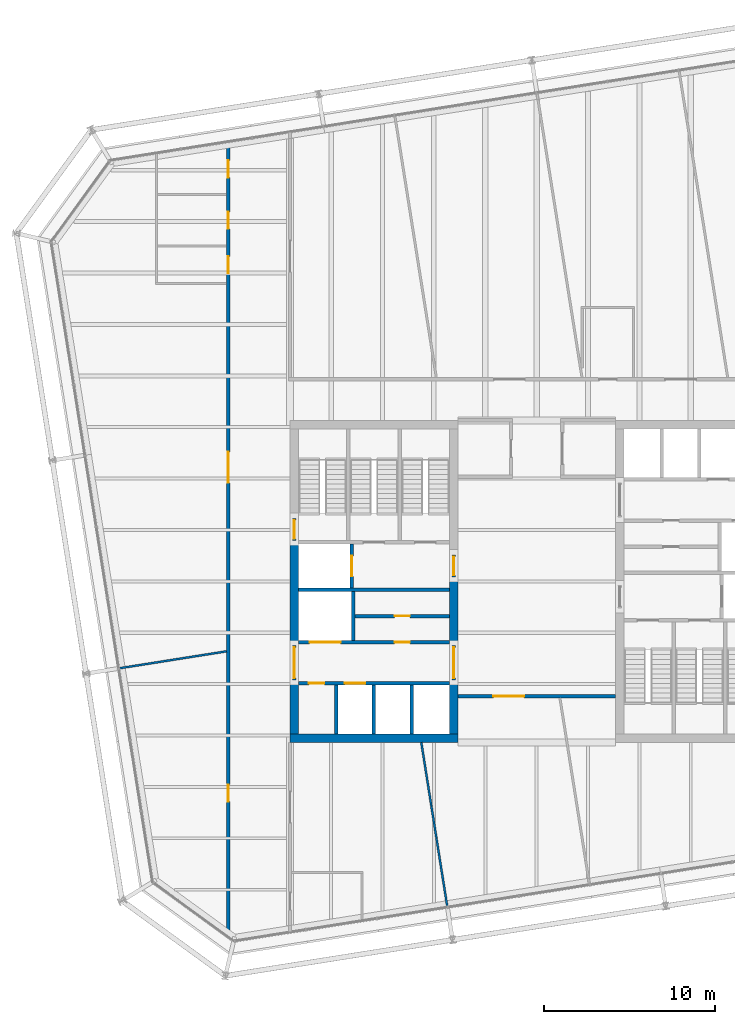
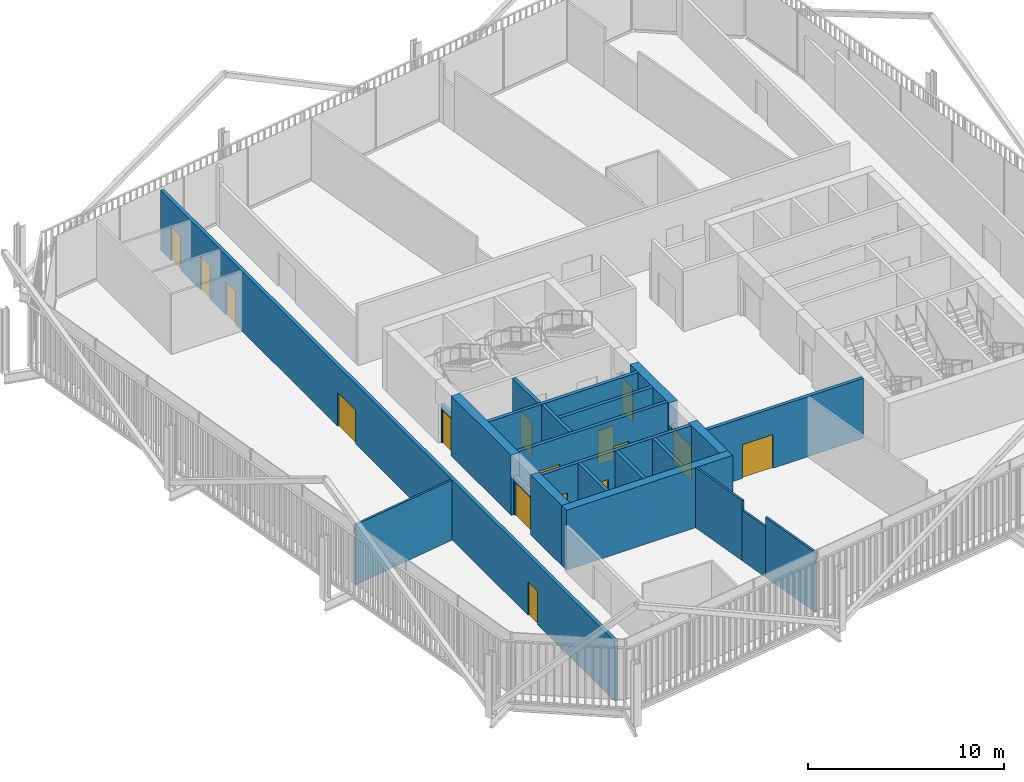
# One storey, part 17 of 21: 24 walls, 16 doors, 16 openings.
"""IFC4 building model written with IfcOpenShell, lengths in metres."""

from ifc_helpers import new_model, si_unit, direction, frame, frame_2d, origin, place, context, subcontext, project, spatial, rectangle, extrude, material, layer, layer_set, type_object, element, fill, save


model = new_model("IFC4")

# Units and contexts
model_context = context("Model", 3, precision=1e-05, world=origin(), true_north=direction((0.0, 1.0)))
body_context = subcontext(model_context, "Body", "Model", "MODEL_VIEW")
ifc_project = project(units=[si_unit("LENGTHUNIT", "METRE"), si_unit("AREAUNIT", "SQUARE_METRE"), si_unit("VOLUMEUNIT", "CUBIC_METRE"), si_unit("PLANEANGLEUNIT", "RADIAN"), si_unit("MASSUNIT", "GRAM", prefix="KILO")], contexts=[model_context])

# Site, building, storey
site_placement = place(None, origin())
site = spatial("IfcSite", under=ifc_project, at=site_placement, CompositionType="ELEMENT")
building_placement = place(site_placement, origin())
building = spatial("IfcBuilding", under=site, at=building_placement, Name="Millrace Tower", CompositionType="ELEMENT")
storey_placement = place(building_placement, frame((0.0, 0.0, 255.199951171875)))
storey = spatial("IfcBuildingStorey", under=building, at=storey_placement, Name="L58", CompositionType="ELEMENT", Elevation=255.199951171875)

# Walls
ifc_material_1 = material(Name="Concrete C60", Category="concrete")
ifc_layer_1 = layer(ifc_material_1, 0.5)
ifc_layer_set_1 = layer_set([ifc_layer_1], Name="Concrete C60")
wall_type_1 = type_object("IfcWallType", Name="Core wall 500 Concrete C60", PredefinedType="SHEAR", material=ifc_layer_set_1)
wall_1_placement = place(storey_placement, frame((-14.39990234375, -9.14990234375, 0.0), z_axis=(0.0, 0.0, 1.0), x_axis=(1.0, 0.0, 0.0)))
element("IfcWall", 1, at=wall_1_placement, inside=storey, type_object=wall_type_1, Name="Core wall W L58", PredefinedType="SHEAR", context=body_context, shape_type="SweptSolid", body=[
    extrude(rectangle(XDim=9.7998046875, YDim=0.5, at=frame_2d((4.89990234375, 0.0))), origin(), (0.0, 0.0, 1.0), 3.739990234375),
])
wall_2_placement = place(storey_placement, frame((-14.14990234375, -8.89990234375, 0.0), z_axis=(0.0, 0.0, 1.0), x_axis=(0.0, 1.0, 0.0)))
element("IfcWall", 2, at=wall_2_placement, inside=storey, type_object=wall_type_1, Name="Core wall W L58", PredefinedType="SHEAR", context=body_context, shape_type="SweptSolid", body=[
    extrude(rectangle(XDim=3.14990234375, YDim=0.5, at=frame_2d((1.574951171875, 0.0))), origin(), (0.0, 0.0, 1.0), 3.739990234375),
])
wall_3_placement = place(storey_placement, frame((-14.14990234375, -3.75, 0.0), z_axis=(0.0, 0.0, 1.0), x_axis=(0.0, 1.0, 0.0)))
element("IfcWall", 3, at=wall_3_placement, inside=storey, type_object=wall_type_1, Name="Core wall W L58", PredefinedType="SHEAR", context=body_context, shape_type="SweptSolid", body=[
    extrude(rectangle(XDim=6.1298828125, YDim=0.5, at=frame_2d((3.06494140625, 0.0))), origin(), (0.0, 0.0, 1.0), 3.739990234375),
])
wall_4_placement = place(storey_placement, frame((-4.85009765625, -8.89990234375, 0.0), z_axis=(0.0, 0.0, 1.0), x_axis=(0.0, 1.0, 0.0)))
element("IfcWall", 4, at=wall_4_placement, inside=storey, type_object=wall_type_1, Name="Core wall W L58", PredefinedType="SHEAR", context=body_context, shape_type="SweptSolid", body=[
    extrude(rectangle(XDim=3.14990234375, YDim=0.5, at=frame_2d((1.574951171875, 0.0))), origin(), (0.0, 0.0, 1.0), 3.739990234375),
])
wall_5_placement = place(storey_placement, frame((-4.85009765625, -3.75, 0.0), z_axis=(0.0, 0.0, 1.0), x_axis=(0.0, 1.0, 0.0)))
element("IfcWall", 5, at=wall_5_placement, inside=storey, type_object=wall_type_1, Name="Core wall W L58", PredefinedType="SHEAR", context=body_context, shape_type="SweptSolid", body=[
    extrude(rectangle(XDim=4.0, YDim=0.5, at=frame_2d((2.0, 0.0))), origin(), (0.0, 0.0, 1.0), 3.739990234375),
])

# Wall, opening, door
ifc_material_2 = material(Name="Masonry partition, fire-rated", Category="masonry")
ifc_layer_2 = layer(ifc_material_2, 0.199951171875)
ifc_layer_set_2 = layer_set([ifc_layer_2], Name="Masonry partition, fire-rated")
wall_type_2 = type_object("IfcWallType", Name="Corridor wall 200", PredefinedType="PARTITIONING", material=ifc_layer_set_2)
wall_6_placement = place(storey_placement, frame((-4.60009765625, -6.699951171875, 0.0), z_axis=(0.0, 0.0, 1.0), x_axis=(1.0, 0.0, 0.0)))
wall_6 = element("IfcWall", 6, at=wall_6_placement, inside=storey, type_object=wall_type_2, Name="Corridor wall L58", PredefinedType="PARTITIONING", context=body_context, shape_type="SweptSolid", body=[
    extrude(rectangle(XDim=9.2001953125, YDim=0.199951171875, at=frame_2d((4.60009765625, 0.0))), origin(), (0.0, 0.0, 1.0), 3.739990234375),
])
opening_1_placement = place(wall_6_placement, frame((2.070068359375, 0.0, 0.0)))
opening_1 = element("IfcOpeningElement", 7, at=opening_1_placement, cuts=wall_6, Name="Opening 58-P013", PredefinedType="OPENING", context=body_context, shape_type="SweptSolid", body=[
    extrude(rectangle(XDim=1.800048828125, YDim=2.10009765625, at=frame_2d((0.89990234375, 1.050048828125))), frame((0.0, 0.10986328125, 0.0), z_axis=(0.0, -1.0, 0.0), x_axis=(1.0, 0.0, 0.0)), (0.0, 0.0, 1.0), 0.219970703125),
])
ifc_material_3 = material(Name="Steel door set, fire-rated", Category="steel")
door_type_1 = type_object("IfcDoorType", Name="Corridor door 1800 x 2100", OperationType="DOUBLE_DOOR_SINGLE_SWING", PredefinedType="DOOR", material=ifc_material_3)
door_1_placement = place(opening_1_placement, frame((1.800048828125, 0.0, 0.0), z_axis=(0.0, 0.0, 1.0), x_axis=(-1.0, 0.0, 0.0)))
door_1 = element("IfcDoor", 8, at=door_1_placement, inside=storey, type_object=door_type_1, Name="Door 58-P013", OperationType="DOUBLE_DOOR_SINGLE_SWING", OverallHeight=2.10009765625, OverallWidth=1.800048828125, PredefinedType="DOOR", context=body_context, shape_type="SweptSolid", body=[
    extrude(rectangle(XDim=1.800048828125, YDim=2.10009765625, at=frame_2d((0.89990234375, 1.050048828125))), frame((0.0, 0.02490234375, 0.0), z_axis=(0.0, -1.0, 0.0), x_axis=(1.0, 0.0, 0.0)), (0.0, 0.0, 1.0), 0.050048828125),
])
fill(opening_1, door_1)

# Wall, openings, doors
wall_7_placement = place(storey_placement, frame((-18.0, -20.72021484375, 0.0), z_axis=(0.0, 0.0, 1.0), x_axis=(0.0, 1.0, 0.0)))
wall_7 = element("IfcWall", 9, at=wall_7_placement, inside=storey, type_object=wall_type_2, Name="Corridor wall L58", PredefinedType="PARTITIONING", context=body_context, shape_type="SweptSolid", body=[
    extrude(rectangle(XDim=46.34814453125, YDim=0.199951171875, at=frame_2d((23.174072265625, 0.0))), origin(), (0.0, 0.0, 1.0), 3.739990234375),
])
opening_2_placement = place(wall_7_placement, frame((7.857177734375, 0.0, 0.0)))
opening_2 = element("IfcOpeningElement", 10, at=opening_2_placement, cuts=wall_7, Name="Opening 58-P003", PredefinedType="OPENING", context=body_context, shape_type="SweptSolid", body=[
    extrude(rectangle(XDim=1.0, YDim=2.10009765625, at=frame_2d((0.5, 1.050048828125))), frame((0.0, 0.10986328125, 0.0), z_axis=(0.0, -1.0, 0.0), x_axis=(1.0, 0.0, 0.0)), (0.0, 0.0, 1.0), 0.219970703125),
])
opening_3_placement = place(wall_7_placement, frame((26.474853515625, 0.0, 0.0)))
opening_3 = element("IfcOpeningElement", 11, at=opening_3_placement, cuts=wall_7, Name="Opening 58-P004", PredefinedType="OPENING", context=body_context, shape_type="SweptSolid", body=[
    extrude(rectangle(XDim=1.800048828125, YDim=2.10009765625, at=frame_2d((0.89990234375, 1.050048828125))), frame((0.0, 0.10986328125, 0.0), z_axis=(0.0, -1.0, 0.0), x_axis=(1.0, 0.0, 0.0)), (0.0, 0.0, 1.0), 0.219970703125),
])
opening_4_placement = place(wall_7_placement, frame((44.29736328125, 0.0, 0.0)))
opening_4 = element("IfcOpeningElement", 12, at=opening_4_placement, cuts=wall_7, Name="Opening 58-P015", PredefinedType="OPENING", context=body_context, shape_type="SweptSolid", body=[
    extrude(rectangle(XDim=1.0, YDim=2.10009765625, at=frame_2d((0.5, 1.050048828125))), frame((0.0, 0.10986328125, 0.0), z_axis=(0.0, -1.0, 0.0), x_axis=(1.0, 0.0, 0.0)), (0.0, 0.0, 1.0), 0.219970703125),
])
opening_5_placement = place(wall_7_placement, frame((41.29736328125, 0.0, 0.0)))
opening_5 = element("IfcOpeningElement", 13, at=opening_5_placement, cuts=wall_7, Name="Opening 58-P016", PredefinedType="OPENING", context=body_context, shape_type="SweptSolid", body=[
    extrude(rectangle(XDim=1.0, YDim=2.10009765625, at=frame_2d((0.5, 1.050048828125))), frame((0.0, 0.10986328125, 0.0), z_axis=(0.0, -1.0, 0.0), x_axis=(1.0, 0.0, 0.0)), (0.0, 0.0, 1.0), 0.219970703125),
])
opening_6_placement = place(wall_7_placement, frame((38.697265625, 0.0, 0.0)))
opening_6 = element("IfcOpeningElement", 14, at=opening_6_placement, cuts=wall_7, Name="Opening 58-P017", PredefinedType="OPENING", context=body_context, shape_type="SweptSolid", body=[
    extrude(rectangle(XDim=1.0, YDim=2.10009765625, at=frame_2d((0.5, 1.050048828125))), frame((0.0, 0.10986328125, 0.0), z_axis=(0.0, -1.0, 0.0), x_axis=(1.0, 0.0, 0.0)), (0.0, 0.0, 1.0), 0.219970703125),
])
ifc_material_4 = material(Name="Steel door set, fire-rated", Category="steel")
door_type_2 = type_object("IfcDoorType", Name="Corridor door 1000 x 2100", OperationType="SINGLE_SWING_LEFT", PredefinedType="DOOR", material=ifc_material_4)
door_2_placement = place(opening_2_placement, origin())
door_2 = element("IfcDoor", 15, at=door_2_placement, inside=storey, type_object=door_type_2, Name="Door 58-P003", OperationType="SINGLE_SWING_LEFT", OverallHeight=2.10009765625, OverallWidth=1.0, PredefinedType="DOOR", context=body_context, shape_type="SweptSolid", body=[
    extrude(rectangle(XDim=1.0, YDim=2.10009765625, at=frame_2d((0.5, 1.050048828125))), frame((0.0, 0.02490234375, 0.0), z_axis=(0.0, -1.0, 0.0), x_axis=(1.0, 0.0, 0.0)), (0.0, 0.0, 1.0), 0.050048828125),
])
fill(opening_2, door_2)
door_3_placement = place(opening_4_placement, origin())
door_3 = element("IfcDoor", 16, at=door_3_placement, inside=storey, type_object=door_type_2, Name="Door 58-P015", OperationType="SINGLE_SWING_RIGHT", OverallHeight=2.10009765625, OverallWidth=1.0, PredefinedType="DOOR", context=body_context, shape_type="SweptSolid", body=[
    extrude(rectangle(XDim=1.0, YDim=2.10009765625, at=frame_2d((0.5, 1.050048828125))), frame((0.0, 0.02490234375, 0.0), z_axis=(0.0, -1.0, 0.0), x_axis=(1.0, 0.0, 0.0)), (0.0, 0.0, 1.0), 0.050048828125),
])
fill(opening_4, door_3)
door_4_placement = place(opening_5_placement, origin())
door_4 = element("IfcDoor", 17, at=door_4_placement, inside=storey, type_object=door_type_2, Name="Door 58-P016", OperationType="SINGLE_SWING_RIGHT", OverallHeight=2.10009765625, OverallWidth=1.0, PredefinedType="DOOR", context=body_context, shape_type="SweptSolid", body=[
    extrude(rectangle(XDim=1.0, YDim=2.10009765625, at=frame_2d((0.5, 1.050048828125))), frame((0.0, 0.02490234375, 0.0), z_axis=(0.0, -1.0, 0.0), x_axis=(1.0, 0.0, 0.0)), (0.0, 0.0, 1.0), 0.050048828125),
])
fill(opening_5, door_4)
door_5_placement = place(opening_6_placement, origin())
door_5 = element("IfcDoor", 18, at=door_5_placement, inside=storey, type_object=door_type_2, Name="Door 58-P017", OperationType="SINGLE_SWING_RIGHT", OverallHeight=2.10009765625, OverallWidth=1.0, PredefinedType="DOOR", context=body_context, shape_type="SweptSolid", body=[
    extrude(rectangle(XDim=1.0, YDim=2.10009765625, at=frame_2d((0.5, 1.050048828125))), frame((0.0, 0.02490234375, 0.0), z_axis=(0.0, -1.0, 0.0), x_axis=(1.0, 0.0, 0.0)), (0.0, 0.0, 1.0), 0.050048828125),
])
fill(opening_6, door_5)
door_6_placement = place(opening_3_placement, frame((1.800048828125, 0.0, 0.0), z_axis=(0.0, 0.0, 1.0), x_axis=(-1.0, 0.0, 0.0)))
door_6 = element("IfcDoor", 19, at=door_6_placement, inside=storey, type_object=door_type_1, Name="Door 58-P004", OperationType="DOUBLE_DOOR_SINGLE_SWING", OverallHeight=2.10009765625, OverallWidth=1.800048828125, PredefinedType="DOOR", context=body_context, shape_type="SweptSolid", body=[
    extrude(rectangle(XDim=1.800048828125, YDim=2.10009765625, at=frame_2d((0.89990234375, 1.050048828125))), frame((0.0, 0.02490234375, 0.0), z_axis=(0.0, -1.0, 0.0), x_axis=(1.0, 0.0, 0.0)), (0.0, 0.0, 1.0), 0.050048828125),
])
fill(opening_3, door_6)

ifc_material_5 = material(Name="Masonry partition, fire-rated", Category="masonry")
ifc_layer_3 = layer(ifc_material_5, 0.199951171875)
ifc_layer_set_3 = layer_set([ifc_layer_3], Name="Masonry partition, fire-rated")
wall_type_3 = type_object("IfcWallType", Name="Lift shaft wall 200", PredefinedType="PARTITIONING", material=ifc_layer_set_3)
wall_8_placement = place(storey_placement, frame((-13.89990234375, -5.949951171875, 0.0), z_axis=(0.0, 0.0, 1.0), x_axis=(1.0, 0.0, 0.0)))
wall_8 = element("IfcWall", 20, at=wall_8_placement, inside=storey, type_object=wall_type_3, Name="Lift shaft wall W L58", PredefinedType="PARTITIONING", context=body_context, shape_type="SweptSolid", body=[
    extrude(rectangle(XDim=8.7998046875, YDim=0.199951171875, at=frame_2d((4.39990234375, 0.0))), origin(), (0.0, 0.0, 1.0), 3.739990234375),
])
opening_7_placement = place(wall_8_placement, frame((2.699951171875, 0.0, 0.0)))
opening_7 = element("IfcOpeningElement", 21, at=opening_7_placement, cuts=wall_8, Name="Opening 58-LD02", PredefinedType="OPENING", context=body_context, shape_type="SweptSolid", body=[
    extrude(rectangle(XDim=1.199951171875, YDim=2.10009765625, at=frame_2d((0.60009765625, 1.050048828125))), frame((0.0, 0.10986328125, 0.0), z_axis=(0.0, -1.0, 0.0), x_axis=(1.0, 0.0, 0.0)), (0.0, 0.0, 1.0), 0.219970703125),
])
opening_8_placement = place(wall_8_placement, frame((0.60009765625, 0.0, 0.0)))
opening_8 = element("IfcOpeningElement", 22, at=opening_8_placement, cuts=wall_8, Name="Opening 58-C005", PredefinedType="OPENING", context=body_context, shape_type="SweptSolid", body=[
    extrude(rectangle(XDim=0.89990234375, YDim=2.10009765625, at=frame_2d((0.449951171875, 1.050048828125))), frame((0.0, 0.10986328125, 0.0), z_axis=(0.0, -1.0, 0.0), x_axis=(1.0, 0.0, 0.0)), (0.0, 0.0, 1.0), 0.219970703125),
])
ifc_material_6 = material(Name="Stainless steel, fire-rated", Category="steel")
door_type_3 = type_object("IfcDoorType", Name="Lift landing door 1200 x 2100", OperationType="DOUBLE_DOOR_SLIDING", PredefinedType="DOOR", material=ifc_material_6)
door_7_placement = place(opening_7_placement, origin())
door_7 = element("IfcDoor", 23, at=door_7_placement, inside=storey, type_object=door_type_3, Name="Lift landing door LF2 L58", OperationType="DOUBLE_DOOR_SLIDING", OverallHeight=2.10009765625, OverallWidth=1.199951171875, PredefinedType="DOOR", context=body_context, shape_type="SweptSolid", body=[
    extrude(rectangle(XDim=1.199951171875, YDim=2.10009765625, at=frame_2d((0.60009765625, 1.050048828125))), frame((0.0, 0.02490234375, 0.0), z_axis=(0.0, -1.0, 0.0), x_axis=(1.0, 0.0, 0.0)), (0.0, 0.0, 1.0), 0.050048828125),
])
fill(opening_7, door_7)
ifc_material_7 = material(Name="Steel door, fire-rated", Category="steel")
door_type_4 = type_object("IfcDoorType", Name="Service room door 900 x 2100", OperationType="SINGLE_SWING_LEFT", PredefinedType="DOOR", material=ifc_material_7)
door_8_placement = place(opening_8_placement, frame((0.89990234375, 0.0, 0.0), z_axis=(0.0, 0.0, 1.0), x_axis=(-1.0, 0.0, 0.0)))
door_8 = element("IfcDoor", 24, at=door_8_placement, inside=storey, type_object=door_type_4, Name="Service room door 58-C005", OperationType="SINGLE_SWING_RIGHT", OverallHeight=2.10009765625, OverallWidth=0.89990234375, PredefinedType="DOOR", context=body_context, shape_type="SweptSolid", body=[
    extrude(rectangle(XDim=0.89990234375, YDim=2.10009765625, at=frame_2d((0.449951171875, 1.050048828125))), frame((0.0, 0.02490234375, 0.0), z_axis=(0.0, -1.0, 0.0), x_axis=(1.0, 0.0, 0.0)), (0.0, 0.0, 1.0), 0.050048828125),
])
fill(opening_8, door_8)

wall_9_placement = place(storey_placement, frame((-13.89990234375, -3.550048828125, 0.0), z_axis=(0.0, 0.0, 1.0), x_axis=(1.0, 0.0, 0.0)))
wall_9 = element("IfcWall", 25, at=wall_9_placement, inside=storey, type_object=wall_type_3, Name="Lift shaft wall W L58", PredefinedType="PARTITIONING", context=body_context, shape_type="SweptSolid", body=[
    extrude(rectangle(XDim=8.7998046875, YDim=0.199951171875, at=frame_2d((4.39990234375, 0.0))), origin(), (0.0, 0.0, 1.0), 3.739990234375),
])
opening_9_placement = place(wall_9_placement, frame((0.64990234375, 0.0, 0.0)))
opening_9 = element("IfcOpeningElement", 26, at=opening_9_placement, cuts=wall_9, Name="Opening 58-LD05", PredefinedType="OPENING", context=body_context, shape_type="SweptSolid", body=[
    extrude(rectangle(XDim=1.800048828125, YDim=2.10009765625, at=frame_2d((0.89990234375, 1.050048828125))), frame((0.0, 0.10986328125, 0.0), z_axis=(0.0, -1.0, 0.0), x_axis=(1.0, 0.0, 0.0)), (0.0, 0.0, 1.0), 0.219970703125),
])
opening_10_placement = place(wall_9_placement, frame((5.60009765625, 0.0, 0.0)))
opening_10 = element("IfcOpeningElement", 27, at=opening_10_placement, cuts=wall_9, Name="Opening 58-C006", PredefinedType="OPENING", context=body_context, shape_type="SweptSolid", body=[
    extrude(rectangle(XDim=0.89990234375, YDim=2.10009765625, at=frame_2d((0.449951171875, 1.050048828125))), frame((0.0, 0.10986328125, 0.0), z_axis=(0.0, -1.0, 0.0), x_axis=(1.0, 0.0, 0.0)), (0.0, 0.0, 1.0), 0.219970703125),
])
ifc_material_8 = material(Name="Stainless steel, fire-rated", Category="steel")
door_type_5 = type_object("IfcDoorType", Name="Lift landing door 1800 x 2100", OperationType="DOUBLE_DOOR_SLIDING", PredefinedType="DOOR", material=ifc_material_8)
door_9_placement = place(opening_9_placement, origin())
door_9 = element("IfcDoor", 28, at=door_9_placement, inside=storey, type_object=door_type_5, Name="Lift landing door LF5 L58", OperationType="DOUBLE_DOOR_SLIDING", OverallHeight=2.10009765625, OverallWidth=1.800048828125, PredefinedType="DOOR", context=body_context, shape_type="SweptSolid", body=[
    extrude(rectangle(XDim=1.800048828125, YDim=2.10009765625, at=frame_2d((0.89990234375, 1.050048828125))), frame((0.0, 0.02490234375, 0.0), z_axis=(0.0, -1.0, 0.0), x_axis=(1.0, 0.0, 0.0)), (0.0, 0.0, 1.0), 0.050048828125),
])
fill(opening_9, door_9)
door_10_placement = place(opening_10_placement, frame((0.89990234375, 0.0, 0.0), z_axis=(0.0, 0.0, 1.0), x_axis=(-1.0, 0.0, 0.0)))
door_10 = element("IfcDoor", 29, at=door_10_placement, inside=storey, type_object=door_type_4, Name="Service room door 58-C006", OperationType="SINGLE_SWING_LEFT", OverallHeight=2.10009765625, OverallWidth=0.89990234375, PredefinedType="DOOR", context=body_context, shape_type="SweptSolid", body=[
    extrude(rectangle(XDim=0.89990234375, YDim=2.10009765625, at=frame_2d((0.449951171875, 1.050048828125))), frame((0.0, 0.02490234375, 0.0), z_axis=(0.0, -1.0, 0.0), x_axis=(1.0, 0.0, 0.0)), (0.0, 0.0, 1.0), 0.050048828125),
])
fill(opening_10, door_10)

# Wall
wall_10_placement = place(storey_placement, frame((-13.89990234375, -0.5, 0.0), z_axis=(0.0, 0.0, 1.0), x_axis=(1.0, 0.0, 0.0)))
element("IfcWall", 30, at=wall_10_placement, inside=storey, type_object=wall_type_3, Name="Lift shaft wall W L58", PredefinedType="PARTITIONING", context=body_context, shape_type="SweptSolid", body=[
    extrude(rectangle(XDim=8.7998046875, YDim=0.199951171875, at=frame_2d((4.39990234375, 0.0))), origin(), (0.0, 0.0, 1.0), 3.739990234375),
])

# Wall, opening, door
wall_11_placement = place(storey_placement, frame((-10.800048828125, -0.39990234375, 0.0), z_axis=(0.0, 0.0, 1.0), x_axis=(0.0, 1.0, 0.0)))
wall_11 = element("IfcWall", 31, at=wall_11_placement, inside=storey, type_object=wall_type_3, Name="Lift shaft wall W L58", PredefinedType="PARTITIONING", context=body_context, shape_type="SweptSolid", body=[
    extrude(rectangle(XDim=2.579833984375, YDim=0.199951171875, at=frame_2d((1.2900390625, 0.0))), origin(), (0.0, 0.0, 1.0), 3.739990234375),
])
opening_11_placement = place(wall_11_placement, frame((0.68994140625, 0.0, 0.0)))
opening_11 = element("IfcOpeningElement", 32, at=opening_11_placement, cuts=wall_11, Name="Opening 58-LD08", PredefinedType="OPENING", context=body_context, shape_type="SweptSolid", body=[
    extrude(rectangle(XDim=1.199951171875, YDim=2.10009765625, at=frame_2d((0.60009765625, 1.050048828125))), frame((0.0, 0.10986328125, 0.0), z_axis=(0.0, -1.0, 0.0), x_axis=(1.0, 0.0, 0.0)), (0.0, 0.0, 1.0), 0.219970703125),
])
door_11_placement = place(opening_11_placement, origin())
door_11 = element("IfcDoor", 33, at=door_11_placement, inside=storey, type_object=door_type_3, Name="Lift landing door LF8 L58", OperationType="DOUBLE_DOOR_SLIDING", OverallHeight=2.10009765625, OverallWidth=1.199951171875, PredefinedType="DOOR", context=body_context, shape_type="SweptSolid", body=[
    extrude(rectangle(XDim=1.199951171875, YDim=2.10009765625, at=frame_2d((0.60009765625, 1.050048828125))), frame((0.0, 0.02490234375, 0.0), z_axis=(0.0, -1.0, 0.0), x_axis=(1.0, 0.0, 0.0)), (0.0, 0.0, 1.0), 0.050048828125),
])
fill(opening_11, door_11)

# Walls
for number, where, z_axis, x_axis, name in (
    (34, (-11.699951171875, -8.89990234375, 0.0), (0.0, 0.0, 1.0), (0.0, 1.0, 0.0), "Lift shaft wall W L58"),
    (35, (-9.5, -8.89990234375, 0.0), (0.0, 0.0, 1.0), (0.0, 1.0, 0.0), "Lift shaft wall W L58"),
    (36, (-7.300048828125, -8.89990234375, 0.0), (0.0, 0.0, 1.0), (0.0, 1.0, 0.0), "Lift shaft wall W L58"),
    (37, (-10.699951171875, -3.449951171875, 0.0), (0.0, 0.0, 1.0), (0.0, 1.0, 0.0), "Lift shaft wall W L58"),
):
    element("IfcWall", number, at=place(storey_placement, frame(where, z_axis=z_axis, x_axis=x_axis)), inside=storey, type_object=wall_type_3, Name=name, PredefinedType="PARTITIONING", context=body_context, shape_type="SweptSolid", body=[
        extrude(rectangle(XDim=2.849853515625, YDim=0.199951171875, at=frame_2d((1.4248046875, 0.0))), origin(), (0.0, 0.0, 1.0), 3.739990234375),
    ])

# Wall, opening, door
ifc_material_9 = material(Name="Masonry partition, fire-rated", Category="masonry")
ifc_layer_4 = layer(ifc_material_9, 0.199951171875)
ifc_layer_set_4 = layer_set([ifc_layer_4], Name="Masonry partition, fire-rated")
wall_type_4 = type_object("IfcWallType", Name="Lobby wall 200", PredefinedType="PARTITIONING", material=ifc_layer_set_4)
wall_12_placement = place(storey_placement, frame((-14.14990234375, -5.75, 0.0), z_axis=(0.0, 0.0, 1.0), x_axis=(0.0, 1.0, 0.0)))
wall_12 = element("IfcWall", 38, at=wall_12_placement, inside=storey, type_object=wall_type_4, Name="Lobby wall W L58", PredefinedType="PARTITIONING", context=body_context, shape_type="SweptSolid", body=[
    extrude(rectangle(XDim=2.0, YDim=0.199951171875, at=frame_2d((1.0, 0.0))), origin(), (0.0, 0.0, 1.0), 2.400146484375),
])
opening_12_placement = place(wall_12_placement, frame((0.10009765625, 0.0, 0.0)))
opening_12 = element("IfcOpeningElement", 39, at=opening_12_placement, cuts=wall_12, Name="Opening 58-C001", PredefinedType="OPENING", context=body_context, shape_type="SweptSolid", body=[
    extrude(rectangle(XDim=1.800048828125, YDim=2.10009765625, at=frame_2d((0.89990234375, 1.050048828125))), frame((0.0, 0.10986328125, 0.0), z_axis=(0.0, -1.0, 0.0), x_axis=(1.0, 0.0, 0.0)), (0.0, 0.0, 1.0), 0.219970703125),
])
ifc_material_10 = material(Name="Steel door, fire-rated", Category="steel")
door_type_6 = type_object("IfcDoorType", Name="Lobby door 1800 x 2100", OperationType="DOUBLE_DOOR_SINGLE_SWING", PredefinedType="DOOR", material=ifc_material_10)
door_12_placement = place(opening_12_placement, origin())
door_12 = element("IfcDoor", 40, at=door_12_placement, inside=storey, type_object=door_type_6, Name="Lobby door 58-C001", OperationType="DOUBLE_DOOR_SINGLE_SWING", OverallHeight=2.10009765625, OverallWidth=1.800048828125, PredefinedType="DOOR", context=body_context, shape_type="SweptSolid", body=[
    extrude(rectangle(XDim=1.800048828125, YDim=2.10009765625, at=frame_2d((0.89990234375, 1.050048828125))), frame((0.0, 0.02490234375, 0.0), z_axis=(0.0, -1.0, 0.0), x_axis=(1.0, 0.0, 0.0)), (0.0, 0.0, 1.0), 0.050048828125),
])
fill(opening_12, door_12)

wall_13_placement = place(storey_placement, frame((-4.85009765625, -5.75, 0.0), z_axis=(0.0, 0.0, 1.0), x_axis=(0.0, 1.0, 0.0)))
wall_13 = element("IfcWall", 41, at=wall_13_placement, inside=storey, type_object=wall_type_4, Name="Lobby wall W L58", PredefinedType="PARTITIONING", context=body_context, shape_type="SweptSolid", body=[
    extrude(rectangle(XDim=2.0, YDim=0.199951171875, at=frame_2d((1.0, 0.0))), origin(), (0.0, 0.0, 1.0), 2.400146484375),
])
opening_13_placement = place(wall_13_placement, frame((0.10009765625, 0.0, 0.0)))
opening_13 = element("IfcOpeningElement", 42, at=opening_13_placement, cuts=wall_13, Name="Opening 58-C003", PredefinedType="OPENING", context=body_context, shape_type="SweptSolid", body=[
    extrude(rectangle(XDim=1.800048828125, YDim=2.10009765625, at=frame_2d((0.89990234375, 1.050048828125))), frame((0.0, 0.10986328125, 0.0), z_axis=(0.0, -1.0, 0.0), x_axis=(1.0, 0.0, 0.0)), (0.0, 0.0, 1.0), 0.219970703125),
])
door_13_placement = place(opening_13_placement, frame((1.800048828125, 0.0, 0.0), z_axis=(0.0, 0.0, 1.0), x_axis=(-1.0, 0.0, 0.0)))
door_13 = element("IfcDoor", 43, at=door_13_placement, inside=storey, type_object=door_type_6, Name="Lobby door 58-C003", OperationType="DOUBLE_DOOR_SINGLE_SWING", OverallHeight=2.10009765625, OverallWidth=1.800048828125, PredefinedType="DOOR", context=body_context, shape_type="SweptSolid", body=[
    extrude(rectangle(XDim=1.800048828125, YDim=2.10009765625, at=frame_2d((0.89990234375, 1.050048828125))), frame((0.0, 0.02490234375, 0.0), z_axis=(0.0, -1.0, 0.0), x_axis=(1.0, 0.0, 0.0)), (0.0, 0.0, 1.0), 0.050048828125),
])
fill(opening_13, door_13)

wall_14_placement = place(storey_placement, frame((-4.85009765625, 0.25, 0.0), z_axis=(0.0, 0.0, 1.0), x_axis=(0.0, 1.0, 0.0)))
wall_14 = element("IfcWall", 44, at=wall_14_placement, inside=storey, type_object=wall_type_4, Name="Lobby wall W L58", PredefinedType="PARTITIONING", context=body_context, shape_type="SweptSolid", body=[
    extrude(rectangle(XDim=1.300048828125, YDim=0.199951171875, at=frame_2d((0.64990234375, 0.0))), origin(), (0.0, 0.0, 1.0), 2.400146484375),
])
opening_14_placement = place(wall_14_placement, frame((0.10009765625, 0.0, 0.0)))
opening_14 = element("IfcOpeningElement", 45, at=opening_14_placement, cuts=wall_14, Name="Opening 58-C004", PredefinedType="OPENING", context=body_context, shape_type="SweptSolid", body=[
    extrude(rectangle(XDim=1.10009765625, YDim=2.10009765625, at=frame_2d((0.550048828125, 1.050048828125))), frame((0.0, 0.10986328125, 0.0), z_axis=(0.0, -1.0, 0.0), x_axis=(1.0, 0.0, 0.0)), (0.0, 0.0, 1.0), 0.219970703125),
])
ifc_material_11 = material(Name="Steel door, fire-rated", Category="steel")
door_type_7 = type_object("IfcDoorType", Name="Lobby door 1100 x 2100", OperationType="SINGLE_SWING_LEFT", PredefinedType="DOOR", material=ifc_material_11)
door_14_placement = place(opening_14_placement, frame((1.10009765625, 0.0, 0.0), z_axis=(0.0, 0.0, 1.0), x_axis=(-1.0, 0.0, 0.0)))
door_14 = element("IfcDoor", 46, at=door_14_placement, inside=storey, type_object=door_type_7, Name="Lobby door 58-C004", OperationType="SINGLE_SWING_LEFT", OverallHeight=2.10009765625, OverallWidth=1.10009765625, PredefinedType="DOOR", context=body_context, shape_type="SweptSolid", body=[
    extrude(rectangle(XDim=1.10009765625, YDim=2.10009765625, at=frame_2d((0.550048828125, 1.050048828125))), frame((0.0, 0.02490234375, 0.0), z_axis=(0.0, -1.0, 0.0), x_axis=(1.0, 0.0, 0.0)), (0.0, 0.0, 1.0), 0.050048828125),
])
fill(opening_14, door_14)

# Walls
ifc_material_12 = material(Name="Gypsum board partition")
ifc_layer_5 = layer(ifc_material_12, 0.1201171875)
ifc_layer_set_5 = layer_set([ifc_layer_5], Name="Gypsum board partition")
wall_type_5 = type_object("IfcWallType", Name="Partition wall 120", PredefinedType="PARTITIONING", material=ifc_layer_set_5)
wall_15_placement = place(storey_placement, frame((-6.737060546875, -9.39990234375, 0.0), z_axis=(0.0, 0.0, 1.0), x_axis=(0.156382059487, -0.987696639394, 0.0)))
element("IfcWall", 47, at=wall_15_placement, inside=storey, type_object=wall_type_5, Name="Partition wall L58", PredefinedType="PARTITIONING", context=body_context, shape_type="SweptSolid", body=[
    extrude(rectangle(XDim=3.765625, YDim=0.1201171875, at=frame_2d((1.8828125, 0.0))), origin(), (0.0, 0.0, 1.0), 3.739990234375),
])
wall_16_placement = place(storey_placement, frame((-6.148193359375, -13.119140625, 0.0), z_axis=(0.0, 0.0, 1.0), x_axis=(0.1562533807, -0.987717004521, 0.0)))
element("IfcWall", 48, at=wall_16_placement, inside=storey, type_object=wall_type_5, Name="Partition wall L58", PredefinedType="PARTITIONING", context=body_context, shape_type="SweptSolid", body=[
    extrude(rectangle(XDim=1.896728515625, YDim=0.1201171875, at=frame_2d((0.9482421875, 0.0))), origin(), (0.0, 0.0, 1.0), 3.140625),
])
wall_17_placement = place(storey_placement, frame((-5.851806640625, -14.99267578125, 0.0), z_axis=(0.0, 0.0, 1.0), x_axis=(0.15636605837, -0.987699172719, 0.0)))
element("IfcWall", 49, at=wall_17_placement, inside=storey, type_object=wall_type_5, Name="Partition wall L58", PredefinedType="PARTITIONING", context=body_context, shape_type="SweptSolid", body=[
    extrude(rectangle(XDim=4.039306640625, YDim=0.1201171875, at=frame_2d((2.01953125, 0.0))), origin(), (0.0, 0.0, 1.0), 3.739990234375),
])
wall_18_placement = place(storey_placement, frame((-24.361083984375, -5.07470703125, 0.0), z_axis=(0.0, 0.0, 1.0), x_axis=(0.98770951775, 0.156300699125, 0.0)))
element("IfcWall", 50, at=wall_18_placement, inside=storey, type_object=wall_type_5, Name="Partition wall L58", PredefinedType="PARTITIONING", context=body_context, shape_type="SweptSolid", body=[
    extrude(rectangle(XDim=6.340087890625, YDim=0.1201171875, at=frame_2d((3.169921875, 0.0))), origin(), (0.0, 0.0, 1.0), 3.739990234375),
])

# Wall, opening, door
ifc_material_13 = material(Name="Masonry partition, fire-rated", Category="masonry")
ifc_layer_6 = layer(ifc_material_13, 0.199951171875)
ifc_layer_set_6 = layer_set([ifc_layer_6], Name="Masonry partition, fire-rated")
wall_type_6 = type_object("IfcWallType", Name="Room partition 200", PredefinedType="PARTITIONING", material=ifc_layer_set_6)
wall_19_placement = place(storey_placement, frame((-10.60009765625, -2.02490234375, 0.0), z_axis=(0.0, 0.0, 1.0), x_axis=(1.0, 0.0, 0.0)))
wall_19 = element("IfcWall", 51, at=wall_19_placement, inside=storey, type_object=wall_type_6, Name="Room partition W L58", PredefinedType="PARTITIONING", context=body_context, shape_type="SweptSolid", body=[
    extrude(rectangle(XDim=5.5, YDim=0.199951171875, at=frame_2d((2.75, 0.0))), origin(), (0.0, 0.0, 1.0), 3.739990234375),
])
opening_15_placement = place(wall_19_placement, frame((2.300048828125, 0.0, 0.0)))
opening_15 = element("IfcOpeningElement", 52, at=opening_15_placement, cuts=wall_19, Name="Opening 58-C007", PredefinedType="OPENING", context=body_context, shape_type="SweptSolid", body=[
    extrude(rectangle(XDim=0.89990234375, YDim=2.10009765625, at=frame_2d((0.449951171875, 1.050048828125))), frame((0.0, 0.10986328125, 0.0), z_axis=(0.0, -1.0, 0.0), x_axis=(1.0, 0.0, 0.0)), (0.0, 0.0, 1.0), 0.219970703125),
])
door_15_placement = place(opening_15_placement, origin())
door_15 = element("IfcDoor", 53, at=door_15_placement, inside=storey, type_object=door_type_4, Name="Service room door 58-C007", OperationType="SINGLE_SWING_RIGHT", OverallHeight=2.10009765625, OverallWidth=0.89990234375, PredefinedType="DOOR", context=body_context, shape_type="SweptSolid", body=[
    extrude(rectangle(XDim=0.89990234375, YDim=2.10009765625, at=frame_2d((0.449951171875, 1.050048828125))), frame((0.0, 0.02490234375, 0.0), z_axis=(0.0, -1.0, 0.0), x_axis=(1.0, 0.0, 0.0)), (0.0, 0.0, 1.0), 0.050048828125),
])
fill(opening_15, door_15)

ifc_material_14 = material(Name="Concrete C40", Category="concrete")
ifc_layer_7 = layer(ifc_material_14, 0.199951171875)
ifc_layer_set_7 = layer_set([ifc_layer_7], Name="Concrete C40")
wall_type_7 = type_object("IfcWallType", Name="Stair enclosure wall 200 Concrete C40", PredefinedType="SHEAR", material=ifc_layer_set_7)
wall_20_placement = place(storey_placement, frame((-14.14990234375, 2.3798828125, 0.0), z_axis=(0.0, 0.0, 1.0), x_axis=(0.0, 1.0, 0.0)))
wall_20 = element("IfcWall", 54, at=wall_20_placement, inside=storey, type_object=wall_type_7, Name="Stair enclosure wall W L58", PredefinedType="SHEAR", context=body_context, shape_type="SweptSolid", body=[
    extrude(rectangle(XDim=1.300048828125, YDim=0.199951171875, at=frame_2d((0.64990234375, 0.0))), origin(), (0.0, 0.0, 1.0), 2.400146484375),
])
opening_16_placement = place(wall_20_placement, frame((0.10009765625, 0.0, 0.0)))
opening_16 = element("IfcOpeningElement", 55, at=opening_16_placement, cuts=wall_20, Name="Opening 58-C002", PredefinedType="OPENING", context=body_context, shape_type="SweptSolid", body=[
    extrude(rectangle(XDim=1.10009765625, YDim=2.10009765625, at=frame_2d((0.550048828125, 1.050048828125))), frame((0.0, 0.10986328125, 0.0), z_axis=(0.0, -1.0, 0.0), x_axis=(1.0, 0.0, 0.0)), (0.0, 0.0, 1.0), 0.219970703125),
])
ifc_material_15 = material(Name="Steel door, fire-rated", Category="steel")
door_type_8 = type_object("IfcDoorType", Name="Stair door 1100 x 2100", OperationType="SINGLE_SWING_LEFT", PredefinedType="DOOR", material=ifc_material_15)
door_16_placement = place(opening_16_placement, origin())
door_16 = element("IfcDoor", 56, at=door_16_placement, inside=storey, type_object=door_type_8, Name="Stair door 58-C002", OperationType="SINGLE_SWING_RIGHT", OverallHeight=2.10009765625, OverallWidth=1.10009765625, PredefinedType="DOOR", context=body_context, shape_type="SweptSolid", body=[
    extrude(rectangle(XDim=1.10009765625, YDim=2.10009765625, at=frame_2d((0.550048828125, 1.050048828125))), frame((0.0, 0.02490234375, 0.0), z_axis=(0.0, -1.0, 0.0), x_axis=(1.0, 0.0, 0.0)), (0.0, 0.0, 1.0), 0.050048828125),
])
fill(opening_16, door_16)

save(model, "model.ifc")
